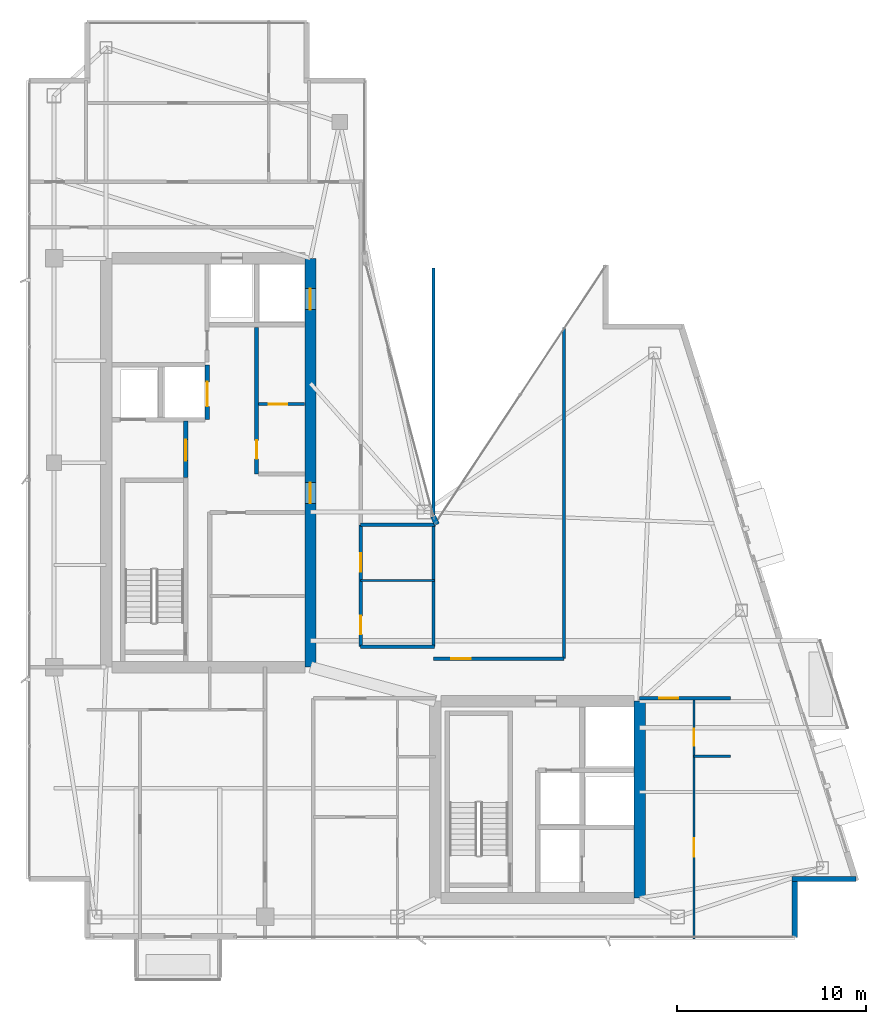
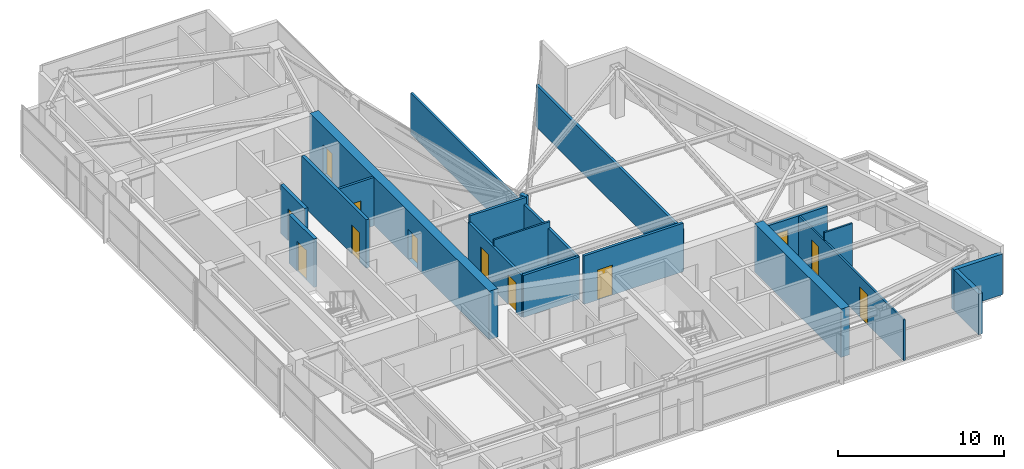
# One storey, part 24 of 28: 20 walls, 12 doors, 12 openings.
"""IFC4 building model written with IfcOpenShell, lengths in metres."""

from ifc_helpers import new_model, si_unit, direction, frame, frame_2d, origin, place, context, subcontext, project, spatial, rectangle, extrude, material, layer, layer_set, type_object, element, fill, save


model = new_model("IFC4")

# Units and contexts
model_context = context("Model", 3, precision=1e-05, world=origin(), true_north=direction((0.0, 1.0)))
body_context = subcontext(model_context, "Body", "Model", "MODEL_VIEW")
ifc_project = project(units=[si_unit("LENGTHUNIT", "METRE"), si_unit("AREAUNIT", "SQUARE_METRE"), si_unit("VOLUMEUNIT", "CUBIC_METRE"), si_unit("PLANEANGLEUNIT", "RADIAN"), si_unit("MASSUNIT", "GRAM", prefix="KILO")], contexts=[model_context])

# Site, building, storey
site_placement = place(None, origin())
site = spatial("IfcSite", under=ifc_project, at=site_placement, CompositionType="ELEMENT")
building_placement = place(site_placement, origin())
building = spatial("IfcBuilding", under=site, at=building_placement, Name="Calvorn Quay Hotel", CompositionType="ELEMENT")
storey_placement = place(building_placement, frame((0.0, 0.0, 271.10009765625)))
storey = spatial("IfcBuildingStorey", under=building, at=storey_placement, Name="L67", CompositionType="ELEMENT", Elevation=271.10009765625)

# Wall, openings, doors
ifc_material_1 = material(Name="Concrete C45", Category="concrete")
ifc_layer_1 = layer(ifc_material_1, 0.60009765625)
ifc_layer_set_1 = layer_set([ifc_layer_1], Name="WL-CORE-600")
wall_type_1 = type_object("IfcWallType", Name="WL-CORE-600", PredefinedType="SHEAR", material=ifc_layer_set_1)
wall_1_placement = place(storey_placement, frame((15.0, 16.800048828125, 0.0), z_axis=(0.0, 0.0, 1.0), x_axis=(0.0, 1.0, 0.0)))
wall_1 = element("IfcWall", 1, at=wall_1_placement, inside=storey, type_object=wall_type_1, Name="West Core Shear Wall E (L67)", PredefinedType="SHEAR", context=body_context, shape_type="SweptSolid", body=[
    extrude(rectangle(XDim=21.599853515625, YDim=0.60009765625, at=frame_2d((10.7998046875, 0.0))), origin(), (0.0, 0.0, 1.0), 3.559814453125),
])
opening_1_placement = place(wall_1_placement, frame((8.64990234375, 0.0, 0.0)))
opening_1 = element("IfcOpeningElement", 2, at=opening_1_placement, cuts=wall_1, Name="Opening D-L67-CW1", PredefinedType="OPENING", context=body_context, shape_type="SweptSolid", body=[
    extrude(rectangle(XDim=1.10009765625, YDim=2.199951171875, at=frame_2d((0.550048828125, 1.10009765625))), frame((0.0, 0.31005859375, 0.0), z_axis=(0.0, -1.0, 0.0), x_axis=(1.0, 0.0, 0.0)), (0.0, 0.0, 1.0), 0.6201171875),
])
opening_2_placement = place(wall_1_placement, frame((18.89990234375, 0.0, 0.0)))
opening_2 = element("IfcOpeningElement", 3, at=opening_2_placement, cuts=wall_1, Name="Opening LD-L67-H1", PredefinedType="OPENING", context=body_context, shape_type="SweptSolid", body=[
    extrude(rectangle(XDim=1.10009765625, YDim=2.199951171875, at=frame_2d((0.550048828125, 1.10009765625))), frame((0.0, 0.31005859375, 0.0), z_axis=(0.0, -1.0, 0.0), x_axis=(1.0, 0.0, 0.0)), (0.0, 0.0, 1.0), 0.6201171875),
])
ifc_material_2 = material(Name="Smoke-Sealed Steel Class A Fire Door", Category="steel")
door_type_1 = type_object("IfcDoorType", Name="DR-FFLOBBY-1100", OperationType="NOTDEFINED", PredefinedType="DOOR", material=ifc_material_2)
door_1_placement = place(opening_1_placement, origin())
door_1 = element("IfcDoor", 4, at=door_1_placement, inside=storey, type_object=door_type_1, Name="West Core Vestibule Fire Door (L67)", OperationType="SINGLE_SWING_RIGHT", OverallHeight=2.199951171875, OverallWidth=1.10009765625, PredefinedType="DOOR", context=body_context, shape_type="SweptSolid", body=[
    extrude(rectangle(XDim=1.10009765625, YDim=2.199951171875, at=frame_2d((0.550048828125, 1.10009765625))), frame((0.0, 0.02490234375, 0.0), z_axis=(0.0, -1.0, 0.0), x_axis=(1.0, 0.0, 0.0)), (0.0, 0.0, 1.0), 0.050048828125),
])
fill(opening_1, door_1)
ifc_material_3 = material(Name="Brushed Stainless Steel Sliding Lift Landing Door", Category="steel")
door_type_2 = type_object("IfcDoorType", Name="DR-LIFT-PASS-1100", OperationType="NOTDEFINED", PredefinedType="DOOR", material=ifc_material_3)
door_2_placement = place(opening_2_placement, origin())
door_2 = element("IfcDoor", 5, at=door_2_placement, inside=storey, type_object=door_type_2, Name="High-Rise Lift PL-H1 Landing Door (L67)", OperationType="DOUBLE_DOOR_SLIDING", OverallHeight=2.199951171875, OverallWidth=1.10009765625, PredefinedType="DOOR", context=body_context, shape_type="SweptSolid", body=[
    extrude(rectangle(XDim=1.10009765625, YDim=2.199951171875, at=frame_2d((0.550048828125, 1.10009765625))), frame((0.0, 0.02490234375, 0.0), z_axis=(0.0, -1.0, 0.0), x_axis=(1.0, 0.0, 0.0)), (0.0, 0.0, 1.0), 0.050048828125),
])
fill(opening_2, door_2)

# Walls
wall_2_placement = place(storey_placement, frame((32.39990234375, 4.60009765625, 0.0), z_axis=(0.0, 0.0, 1.0), x_axis=(0.0, 1.0, 0.0)))
element("IfcWall", 6, at=wall_2_placement, inside=storey, type_object=wall_type_1, Name="East Core Shear Wall E (L67)", PredefinedType="SHEAR", context=body_context, shape_type="SweptSolid", body=[
    extrude(rectangle(XDim=10.39990234375, YDim=0.60009765625, at=frame_2d((5.199951171875, 0.0))), origin(), (0.0, 0.0, 1.0), 3.559814453125),
])
ifc_material_4 = material(Name="Acoustic Fireboard Steel-Stud Partition", Category="steel")
ifc_layer_2 = layer(ifc_material_4, 0.179931640625)
ifc_layer_set_2 = layer_set([ifc_layer_2], Name="WL-CORR-FIRE-180")
wall_type_2 = type_object("IfcWallType", Name="WL-CORR-FIRE-180", PredefinedType="PARTITIONING", material=ifc_layer_set_2)
wall_3_placement = place(storey_placement, frame((17.64990234375, 17.8798828125, 0.0), z_axis=(0.0, 0.0, 1.0), x_axis=(1.0, 0.0, 0.0)))
element("IfcWall", 7, at=wall_3_placement, inside=storey, type_object=wall_type_2, Name="Partition Wall L67-WL-HK-S", PredefinedType="PARTITIONING", context=body_context, shape_type="SweptSolid", body=[
    extrude(rectangle(XDim=3.900146484375, YDim=0.179931640625, at=frame_2d((1.9501953125, 0.0))), origin(), (0.0, 0.0, 1.0), 3.08984375),
])
wall_4_placement = place(storey_placement, frame((17.64990234375, 24.320068359375, 0.0), z_axis=(0.0, 0.0, 1.0), x_axis=(1.0, 0.0, 0.0)))
element("IfcWall", 8, at=wall_4_placement, inside=storey, type_object=wall_type_2, Name="Partition Wall L67-WL-HK-N", PredefinedType="PARTITIONING", context=body_context, shape_type="SweptSolid", body=[
    extrude(rectangle(XDim=3.9501953125, YDim=0.179931640625, at=frame_2d((1.97509765625, 0.0))), origin(), (0.0, 0.0, 1.0), 3.559814453125),
])
wall_5_placement = place(storey_placement, frame((21.5, 17.8798828125, 0.0), z_axis=(0.0, 0.0, 1.0), x_axis=(0.0, 1.0, 0.0)))
element("IfcWall", 9, at=wall_5_placement, inside=storey, type_object=wall_type_2, Name="Partition Wall L67-WL-HK-E", PredefinedType="PARTITIONING", context=body_context, shape_type="SweptSolid", body=[
    extrude(rectangle(XDim=6.440185546875, YDim=0.179931640625, at=frame_2d((3.22021484375, 0.0))), origin(), (0.0, 0.0, 1.0), 3.08984375),
])

# Wall, openings, doors
wall_6_placement = place(storey_placement, frame((17.64990234375, 17.8798828125, 0.0), z_axis=(0.0, 0.0, 1.0), x_axis=(0.0, 1.0, 0.0)))
wall_6 = element("IfcWall", 10, at=wall_6_placement, inside=storey, type_object=wall_type_2, Name="Partition Wall L67-WL-HK-W", PredefinedType="PARTITIONING", context=body_context, shape_type="SweptSolid", body=[
    extrude(rectangle(XDim=6.440185546875, YDim=0.179931640625, at=frame_2d((3.22021484375, 0.0))), origin(), (0.0, 0.0, 1.0), 3.08984375),
])
opening_3_placement = place(wall_6_placement, frame((0.64990234375, 0.0, 0.0)))
opening_3 = element("IfcOpeningElement", 11, at=opening_3_placement, cuts=wall_6, Name="Opening D-L67-HK", PredefinedType="OPENING", context=body_context, shape_type="SweptSolid", body=[
    extrude(rectangle(XDim=0.97998046875, YDim=2.14990234375, at=frame_2d((0.489990234375, 1.074951171875))), frame((0.0, 0.099853515625, 0.0), z_axis=(0.0, -1.0, 0.0), x_axis=(1.0, 0.0, 0.0)), (0.0, 0.0, 1.0), 0.199951171875),
])
opening_4_placement = place(wall_6_placement, frame((3.969970703125, 0.0, 0.0)))
opening_4 = element("IfcOpeningElement", 12, at=opening_4_placement, cuts=wall_6, Name="Opening D-L67-NCP", PredefinedType="OPENING", context=body_context, shape_type="SweptSolid", body=[
    extrude(rectangle(XDim=0.9599609375, YDim=2.199951171875, at=frame_2d((0.47998046875, 1.10009765625))), frame((0.0, 0.099853515625, 0.0), z_axis=(0.0, -1.0, 0.0), x_axis=(1.0, 0.0, 0.0)), (0.0, 0.0, 1.0), 0.199951171875),
])
ifc_material_5 = material(Name="Painted Steel Housekeeping/Riser Fire Door", Category="steel")
door_type_3 = type_object("IfcDoorType", Name="DR-SERVICE-980", OperationType="NOTDEFINED", PredefinedType="DOOR", material=ifc_material_5)
door_3_placement = place(opening_3_placement, origin())
door_3 = element("IfcDoor", 13, at=door_3_placement, inside=storey, type_object=door_type_3, Name="Floor Housekeeping Door (L67)", OperationType="SINGLE_SWING_LEFT", OverallHeight=2.14990234375, OverallWidth=0.97998046875, PredefinedType="DOOR", context=body_context, shape_type="SweptSolid", body=[
    extrude(rectangle(XDim=0.97998046875, YDim=2.14990234375, at=frame_2d((0.489990234375, 1.074951171875))), frame((0.0, 0.02490234375, 0.0), z_axis=(0.0, -1.0, 0.0), x_axis=(1.0, 0.0, 0.0)), (0.0, 0.0, 1.0), 0.050048828125),
])
fill(opening_3, door_3)
ifc_material_6 = material(Name="Solid Timber Internal Suite Door", Category="wood")
door_type_4 = type_object("IfcDoorType", Name="DR-SUITE-INT-960", OperationType="NOTDEFINED", PredefinedType="DOOR", material=ifc_material_6)
door_4_placement = place(opening_4_placement, origin())
door_4 = element("IfcDoor", 14, at=door_4_placement, inside=storey, type_object=door_type_4, Name="Reading Alcove Door (L67)", OperationType="SINGLE_SWING_RIGHT", OverallHeight=2.199951171875, OverallWidth=0.9599609375, PredefinedType="DOOR", context=body_context, shape_type="SweptSolid", body=[
    extrude(rectangle(XDim=0.9599609375, YDim=2.199951171875, at=frame_2d((0.47998046875, 1.10009765625))), frame((0.0, 0.02490234375, 0.0), z_axis=(0.0, -1.0, 0.0), x_axis=(1.0, 0.0, 0.0)), (0.0, 0.0, 1.0), 0.050048828125),
])
fill(opening_4, door_4)

# Wall, opening, door
wall_7_placement = place(storey_placement, frame((32.39990234375, 15.14990234375, 0.0), z_axis=(0.0, 0.0, 1.0), x_axis=(1.0, 0.0, 0.0)))
wall_7 = element("IfcWall", 15, at=wall_7_placement, inside=storey, type_object=wall_type_2, Name="Partition Wall L67-WL-CORR-SE-S", PredefinedType="PARTITIONING", context=body_context, shape_type="SweptSolid", body=[
    extrude(rectangle(XDim=4.800048828125, YDim=0.179931640625, at=frame_2d((2.39990234375, 0.0))), origin(), (0.0, 0.0, 1.0), 2.989990234375),
])
opening_5_placement = place(wall_7_placement, frame((1.030029296875, 0.0, 0.0)))
opening_5 = element("IfcOpeningElement", 16, at=opening_5_placement, cuts=wall_7, Name="Opening D-L67-U04", PredefinedType="OPENING", context=body_context, shape_type="SweptSolid", body=[
    extrude(rectangle(XDim=1.02001953125, YDim=2.199951171875, at=frame_2d((0.510009765625, 1.10009765625))), frame((0.0, 0.099853515625, 0.0), z_axis=(0.0, -1.0, 0.0), x_axis=(1.0, 0.0, 0.0)), (0.0, 0.0, 1.0), 0.199951171875),
])
ifc_material_7 = material(Name="Solid-Core Walnut Veneer Hotel Fire Door")
door_type_5 = type_object("IfcDoorType", Name="DR-GUEST-ENTRY-1020", OperationType="NOTDEFINED", PredefinedType="DOOR", material=ifc_material_7)
door_5_placement = place(opening_5_placement, origin())
door_5 = element("IfcDoor", 17, at=door_5_placement, inside=storey, type_object=door_type_5, Name="South-East Unit Door U04 (L67)", OperationType="SINGLE_SWING_LEFT", OverallHeight=2.199951171875, OverallWidth=1.02001953125, PredefinedType="DOOR", context=body_context, shape_type="SweptSolid", body=[
    extrude(rectangle(XDim=1.02001953125, YDim=2.199951171875, at=frame_2d((0.510009765625, 1.10009765625))), frame((0.0, 0.02490234375, 0.0), z_axis=(0.0, -1.0, 0.0), x_axis=(1.0, 0.0, 0.0)), (0.0, 0.0, 1.0), 0.050048828125),
])
fill(opening_5, door_5)

wall_8_placement = place(storey_placement, frame((21.5, 17.25, 0.0), z_axis=(0.0, 0.0, 1.0), x_axis=(1.0, 0.0, 0.0)))
wall_8 = element("IfcWall", 18, at=wall_8_placement, inside=storey, type_object=wall_type_2, Name="Partition Wall L67-WL-CORR-NE-N", PredefinedType="PARTITIONING", context=body_context, shape_type="SweptSolid", body=[
    extrude(rectangle(XDim=6.89990234375, YDim=0.179931640625, at=frame_2d((3.449951171875, 0.0))), origin(), (0.0, 0.0, 1.0), 3.559814453125),
])
opening_6_placement = place(wall_8_placement, frame((0.949951171875, 0.0, 0.0)))
opening_6 = element("IfcOpeningElement", 19, at=opening_6_placement, cuts=wall_8, Name="Opening D-L67-NS1", PredefinedType="OPENING", context=body_context, shape_type="SweptSolid", body=[
    extrude(rectangle(XDim=1.02001953125, YDim=2.199951171875, at=frame_2d((0.510009765625, 1.10009765625))), frame((0.0, 0.099853515625, 0.0), z_axis=(0.0, -1.0, 0.0), x_axis=(1.0, 0.0, 0.0)), (0.0, 0.0, 1.0), 0.199951171875),
])
door_6_placement = place(opening_6_placement, origin())
door_6 = element("IfcDoor", 20, at=door_6_placement, inside=storey, type_object=door_type_5, Name="Conservatory Salon Door 1 (L67)", OperationType="SINGLE_SWING_RIGHT", OverallHeight=2.199951171875, OverallWidth=1.02001953125, PredefinedType="DOOR", context=body_context, shape_type="SweptSolid", body=[
    extrude(rectangle(XDim=1.02001953125, YDim=2.199951171875, at=frame_2d((0.510009765625, 1.10009765625))), frame((0.0, 0.02490234375, 0.0), z_axis=(0.0, -1.0, 0.0), x_axis=(1.0, 0.0, 0.0)), (0.0, 0.0, 1.0), 0.050048828125),
])
fill(opening_6, door_6)

# Walls
wall_9_placement = place(storey_placement, frame((28.39990234375, 17.25, 0.0), z_axis=(0.0, 0.0, 1.0), x_axis=(0.0, 1.0, 0.0)))
element("IfcWall", 21, at=wall_9_placement, inside=storey, type_object=wall_type_2, Name="Partition Wall L67-WL-NE-END-E", PredefinedType="PARTITIONING", context=body_context, shape_type="SweptSolid", body=[
    extrude(rectangle(XDim=17.510009765625, YDim=0.179931640625, at=frame_2d((8.7548828125, 0.0))), origin(), (0.0, 0.0, 1.0), 3.08984375),
])
ifc_material_8 = material(Name="Moisture-Resistant Tile-Backed Partition")
ifc_layer_3 = layer(ifc_material_8, 0.125)
ifc_layer_set_3 = layer_set([ifc_layer_3], Name="WL-ENSUITE-125")
wall_type_3 = type_object("IfcWallType", Name="WL-ENSUITE-125", PredefinedType="PARTITIONING", material=ifc_layer_set_3)
wall_10_placement = place(storey_placement, frame((17.64990234375, 21.3798828125, 0.0), z_axis=(0.0, 0.0, 1.0), x_axis=(1.0, 0.0, 0.0)))
element("IfcWall", 22, at=wall_10_placement, inside=storey, type_object=wall_type_3, Name="Partition Wall L67-WL-HK-M", PredefinedType="PARTITIONING", context=body_context, shape_type="SweptSolid", body=[
    extrude(rectangle(XDim=3.900146484375, YDim=0.125, at=frame_2d((1.9501953125, 0.0))), origin(), (0.0, 0.0, 1.0), 3.559814453125),
])
wall_11_placement = place(storey_placement, frame((35.27001953125, 12.10009765625, 0.0), z_axis=(0.0, 0.0, 1.0), x_axis=(1.0, 0.0, 0.0)))
element("IfcWall", 23, at=wall_11_placement, inside=storey, type_object=wall_type_3, Name="Partition Wall L67-WL-U04-BDV", PredefinedType="PARTITIONING", context=body_context, shape_type="SweptSolid", body=[
    extrude(rectangle(XDim=1.929931640625, YDim=0.125, at=frame_2d((0.96484375, 0.0))), origin(), (0.0, 0.0, 1.0), 3.559814453125),
])

# Wall, openings, doors
wall_12_placement = place(storey_placement, frame((35.27001953125, 2.43994140625, 0.0), z_axis=(0.0, 0.0, 1.0), x_axis=(0.0, 1.0, 0.0)))
wall_12 = element("IfcWall", 24, at=wall_12_placement, inside=storey, type_object=wall_type_3, Name="Partition Wall L67-WL-U04-BV", PredefinedType="PARTITIONING", context=body_context, shape_type="SweptSolid", body=[
    extrude(rectangle(XDim=12.7099609375, YDim=0.125, at=frame_2d((6.35498046875, 0.0))), origin(), (0.0, 0.0, 1.0), 2.989990234375),
])
opening_7_placement = place(wall_12_placement, frame((4.35009765625, 0.0, 0.0)))
opening_7 = element("IfcOpeningElement", 25, at=opening_7_placement, cuts=wall_12, Name="Opening D-L67-S04", PredefinedType="OPENING", context=body_context, shape_type="SweptSolid", body=[
    extrude(rectangle(XDim=0.9599609375, YDim=2.199951171875, at=frame_2d((0.47998046875, 1.10009765625))), frame((0.0, 0.072509765625, 0.0), z_axis=(0.0, -1.0, 0.0), x_axis=(1.0, 0.0, 0.0)), (0.0, 0.0, 1.0), 0.14501953125),
])
opening_8_placement = place(wall_12_placement, frame((10.2099609375, 0.0, 0.0)))
opening_8 = element("IfcOpeningElement", 26, at=opening_8_placement, cuts=wall_12, Name="Opening D-L67-E04", PredefinedType="OPENING", context=body_context, shape_type="SweptSolid", body=[
    extrude(rectangle(XDim=0.89990234375, YDim=2.14990234375, at=frame_2d((0.449951171875, 1.074951171875))), frame((0.0, 0.072509765625, 0.0), z_axis=(0.0, -1.0, 0.0), x_axis=(1.0, 0.0, 0.0)), (0.0, 0.0, 1.0), 0.14501953125),
])
ifc_material_9 = material(Name="Moisture-Sealed Timber En-Suite Door", Category="wood")
door_type_6 = type_object("IfcDoorType", Name="DR-ENSUITE-900", OperationType="NOTDEFINED", PredefinedType="DOOR", material=ifc_material_9)
door_7_placement = place(opening_8_placement, origin())
door_7 = element("IfcDoor", 27, at=door_7_placement, inside=storey, type_object=door_type_6, Name="En-Suite Door 04", OperationType="SINGLE_SWING_RIGHT", OverallHeight=2.14990234375, OverallWidth=0.89990234375, PredefinedType="DOOR", context=body_context, shape_type="SweptSolid", body=[
    extrude(rectangle(XDim=0.89990234375, YDim=2.14990234375, at=frame_2d((0.449951171875, 1.074951171875))), frame((0.0, 0.02490234375, 0.0), z_axis=(0.0, -1.0, 0.0), x_axis=(1.0, 0.0, 0.0)), (0.0, 0.0, 1.0), 0.050048828125),
])
fill(opening_8, door_7)
door_8_placement = place(opening_7_placement, origin())
door_8 = element("IfcDoor", 28, at=door_8_placement, inside=storey, type_object=door_type_4, Name="Executive Study Door 04", OperationType="SINGLE_SWING_LEFT", OverallHeight=2.199951171875, OverallWidth=0.9599609375, PredefinedType="DOOR", context=body_context, shape_type="SweptSolid", body=[
    extrude(rectangle(XDim=0.9599609375, YDim=2.199951171875, at=frame_2d((0.47998046875, 1.10009765625))), frame((0.0, 0.02490234375, 0.0), z_axis=(0.0, -1.0, 0.0), x_axis=(1.0, 0.0, 0.0)), (0.0, 0.0, 1.0), 0.050048828125),
])
fill(opening_7, door_8)

# Walls
ifc_material_10 = material(Name="Concrete C40", Category="concrete")
ifc_layer_4 = layer(ifc_material_10, 0.320068359375)
ifc_layer_set_4 = layer_set([ifc_layer_4], Name="WL-EXT-SPANDREL-320")
wall_type_4 = type_object("IfcWallType", Name="WL-EXT-SPANDREL-320", PredefinedType="SOLIDWALL", material=ifc_layer_set_4)
wall_13_placement = place(storey_placement, frame((21.679931640625, 24.340087890625, 0.0), z_axis=(0.0, 0.0, 1.0), x_axis=(-0.40758134973, 0.913168901875, 0.0)))
element("IfcWall", 29, at=wall_13_placement, inside=storey, type_object=wall_type_4, Name="Inner Court Corner Pier L67-ICJ1", PredefinedType="SOLIDWALL", context=body_context, shape_type="SweptSolid", body=[
    extrude(rectangle(XDim=0.470703125, YDim=0.280029296875, at=frame_2d((0.2353515625, 0.0))), origin(), (0.0, 0.0, 1.0), 3.559814453125),
])
wall_14_placement = place(storey_placement, frame((40.60009765625, 2.52001953125, 0.0), z_axis=(0.0, 0.0, 1.0), x_axis=(0.0, 1.0, 0.0)))
element("IfcWall", 30, at=wall_14_placement, inside=storey, type_object=wall_type_4, Name="Notched Corner Spandrel L67-SE1", PredefinedType="SOLIDWALL", context=body_context, shape_type="SweptSolid", body=[
    extrude(rectangle(XDim=2.93994140625, YDim=0.280029296875, at=frame_2d((1.469970703125, 0.0))), origin(), (0.0, 0.0, 1.0), 2.989990234375),
])
wall_15_placement = place(storey_placement, frame((40.4599609375, 5.60009765625, 0.0), z_axis=(0.0, 0.0, 1.0), x_axis=(1.0, 0.0, 0.0)))
element("IfcWall", 31, at=wall_15_placement, inside=storey, type_object=wall_type_4, Name="Notched Corner Spandrel L67-SE2", PredefinedType="SOLIDWALL", context=body_context, shape_type="SweptSolid", body=[
    extrude(rectangle(XDim=3.380126953125, YDim=0.280029296875, at=frame_2d((1.68994140625, 0.0))), origin(), (0.0, 0.0, 1.0), 2.989990234375),
])

# Wall, opening, door
ifc_material_11 = material(Name="Double-Stud Acoustic Gypsum Partition")
ifc_layer_5 = layer(ifc_material_11, 0.159912109375)
ifc_layer_set_5 = layer_set([ifc_layer_5], Name="WL-INTERSUITE-160")
wall_type_5 = type_object("IfcWallType", Name="WL-INTERSUITE-160", PredefinedType="PARTITIONING", material=ifc_layer_set_5)
wall_16_placement = place(storey_placement, frame((12.25, 30.699951171875, 0.0), z_axis=(0.0, 0.0, 1.0), x_axis=(1.0, 0.0, 0.0)))
wall_16 = element("IfcWall", 32, at=wall_16_placement, inside=storey, type_object=wall_type_5, Name="Partition Wall L67-WL-CWW-FM-SPLIT", PredefinedType="PARTITIONING", context=body_context, shape_type="SweptSolid", body=[
    extrude(rectangle(XDim=2.429931640625, YDim=0.159912109375, at=frame_2d((1.21484375, 0.0))), origin(), (0.0, 0.0, 1.0), 3.559814453125),
])
opening_9_placement = place(wall_16_placement, frame((0.550048828125, 0.0, 0.0)))
opening_9 = element("IfcOpeningElement", 33, at=opening_9_placement, cuts=wall_16, Name="Opening D-L67-FM2", PredefinedType="OPENING", context=body_context, shape_type="SweptSolid", body=[
    extrude(rectangle(XDim=0.97998046875, YDim=2.14990234375, at=frame_2d((0.489990234375, 1.074951171875))), frame((0.0, 0.08984375, 0.0), z_axis=(0.0, -1.0, 0.0), x_axis=(1.0, 0.0, 0.0)), (0.0, 0.0, 1.0), 0.179931640625),
])
door_9_placement = place(opening_9_placement, origin())
door_9 = element("IfcDoor", 34, at=door_9_placement, inside=storey, type_object=door_type_3, Name="Comms Room Door (L67)", OperationType="SINGLE_SWING_LEFT", OverallHeight=2.14990234375, OverallWidth=0.97998046875, PredefinedType="DOOR", context=body_context, shape_type="SweptSolid", body=[
    extrude(rectangle(XDim=0.97998046875, YDim=2.14990234375, at=frame_2d((0.489990234375, 1.074951171875))), frame((0.0, 0.02490234375, 0.0), z_axis=(0.0, -1.0, 0.0), x_axis=(1.0, 0.0, 0.0)), (0.0, 0.0, 1.0), 0.050048828125),
])
fill(opening_9, door_9)

# Wall
wall_17_placement = place(storey_placement, frame((21.5, 24.85009765625, 0.0), z_axis=(0.0, 0.0, 1.0), x_axis=(0.0, 1.0, 0.0)))
element("IfcWall", 35, at=wall_17_placement, inside=storey, type_object=wall_type_5, Name="Partition Wall L67-WL-NC-UPPER-E", PredefinedType="PARTITIONING", context=body_context, shape_type="SweptSolid", body=[
    extrude(rectangle(XDim=13.0498046875, YDim=0.159912109375, at=frame_2d((6.52490234375, 0.0))), origin(), (0.0, 0.0, 1.0), 2.989990234375),
])

# Wall, opening, door
ifc_material_12 = material(Name="Autoclaved Aerated Masonry Block", Category="masonry")
ifc_layer_6 = layer(ifc_material_12, 0.219970703125)
ifc_layer_set_6 = layer_set([ifc_layer_6], Name="WL-LOBBY-FIRE-220")
wall_type_6 = type_object("IfcWallType", Name="WL-LOBBY-FIRE-220", PredefinedType="SOLIDWALL", material=ifc_layer_set_6)
wall_18_placement = place(storey_placement, frame((12.14990234375, 27.0, 0.0), z_axis=(0.0, 0.0, 1.0), x_axis=(0.0, 1.0, 0.0)))
wall_18 = element("IfcWall", 36, at=wall_18_placement, inside=storey, type_object=wall_type_6, Name="Partition Wall L67-WL-CWW-FM-W", PredefinedType="SOLIDWALL", context=body_context, shape_type="SweptSolid", body=[
    extrude(rectangle(XDim=7.75, YDim=0.219970703125, at=frame_2d((3.875, 0.0))), origin(), (0.0, 0.0, 1.0), 3.559814453125),
])
opening_10_placement = place(wall_18_placement, frame((0.800048828125, 0.0, 0.0)))
opening_10 = element("IfcOpeningElement", 37, at=opening_10_placement, cuts=wall_18, Name="Opening D-L67-FM1", PredefinedType="OPENING", context=body_context, shape_type="SweptSolid", body=[
    extrude(rectangle(XDim=0.97998046875, YDim=2.14990234375, at=frame_2d((0.489990234375, 1.074951171875))), frame((0.0, 0.119873046875, 0.0), z_axis=(0.0, -1.0, 0.0), x_axis=(1.0, 0.0, 0.0)), (0.0, 0.0, 1.0), 0.239990234375),
])
door_10_placement = place(opening_10_placement, origin())
door_10 = element("IfcDoor", 38, at=door_10_placement, inside=storey, type_object=door_type_3, Name="Butler Pantry Door (L67)", OperationType="SINGLE_SWING_RIGHT", OverallHeight=2.14990234375, OverallWidth=0.97998046875, PredefinedType="DOOR", context=body_context, shape_type="SweptSolid", body=[
    extrude(rectangle(XDim=0.97998046875, YDim=2.14990234375, at=frame_2d((0.489990234375, 1.074951171875))), frame((0.0, 0.02490234375, 0.0), z_axis=(0.0, -1.0, 0.0), x_axis=(1.0, 0.0, 0.0)), (0.0, 0.0, 1.0), 0.050048828125),
])
fill(opening_10, door_10)

ifc_material_13 = material(Name="Concrete C40", Category="concrete")
ifc_layer_7 = layer(ifc_material_13, 0.239990234375)
ifc_layer_set_7 = layer_set([ifc_layer_7], Name="WL-SHAFT-240")
wall_type_7 = type_object("IfcWallType", Name="WL-SHAFT-240", PredefinedType="SOLIDWALL", material=ifc_layer_set_7)
wall_19_placement = place(storey_placement, frame((8.419921875, 26.820068359375, 0.0), z_axis=(0.0, 0.0, 1.0), x_axis=(0.0, 1.0, 0.0)))
wall_19 = element("IfcWall", 39, at=wall_19_placement, inside=storey, type_object=wall_type_7, Name="Partition Wall L67-WL-CWW-FFL-E", PredefinedType="SOLIDWALL", context=body_context, shape_type="SweptSolid", body=[
    extrude(rectangle(XDim=3.0, YDim=0.239990234375, at=frame_2d((1.5, 0.0))), origin(), (0.0, 0.0, 1.0), 3.559814453125),
])
opening_11_placement = place(wall_19_placement, frame((0.89990234375, 0.0, 0.0)))
opening_11 = element("IfcOpeningElement", 40, at=opening_11_placement, cuts=wall_19, Name="Opening D-L67-FLW", PredefinedType="OPENING", context=body_context, shape_type="SweptSolid", body=[
    extrude(rectangle(XDim=1.10009765625, YDim=2.199951171875, at=frame_2d((0.550048828125, 1.10009765625))), frame((0.0, 0.1298828125, 0.0), z_axis=(0.0, -1.0, 0.0), x_axis=(1.0, 0.0, 0.0)), (0.0, 0.0, 1.0), 0.260009765625),
])
door_11_placement = place(opening_11_placement, origin())
door_11 = element("IfcDoor", 41, at=door_11_placement, inside=storey, type_object=door_type_1, Name="West Firefighting Lobby Fire Door (L67)", OperationType="SINGLE_SWING_RIGHT", OverallHeight=2.199951171875, OverallWidth=1.10009765625, PredefinedType="DOOR", context=body_context, shape_type="SweptSolid", body=[
    extrude(rectangle(XDim=1.10009765625, YDim=2.199951171875, at=frame_2d((0.550048828125, 1.10009765625))), frame((0.0, 0.02490234375, 0.0), z_axis=(0.0, -1.0, 0.0), x_axis=(1.0, 0.0, 0.0)), (0.0, 0.0, 1.0), 0.050048828125),
])
fill(opening_11, door_11)

wall_20_placement = place(storey_placement, frame((9.5400390625, 29.8798828125, 0.0), z_axis=(0.0, 0.0, 1.0), x_axis=(0.0, 1.0, 0.0)))
wall_20 = element("IfcWall", 42, at=wall_20_placement, inside=storey, type_object=wall_type_7, Name="Partition Wall L67-WL-CWW-SLW-E", PredefinedType="SOLIDWALL", context=body_context, shape_type="SweptSolid", body=[
    extrude(rectangle(XDim=2.900146484375, YDim=0.239990234375, at=frame_2d((1.4501953125, 0.0))), origin(), (0.0, 0.0, 1.0), 3.559814453125),
])
opening_12_placement = place(wall_20_placement, frame((0.699951171875, 0.0, 0.0)))
opening_12 = element("IfcOpeningElement", 43, at=opening_12_placement, cuts=wall_20, Name="Opening LD-L67-SLW1", PredefinedType="OPENING", context=body_context, shape_type="SweptSolid", body=[
    extrude(rectangle(XDim=1.300048828125, YDim=2.35009765625, at=frame_2d((0.64990234375, 1.175048828125))), frame((0.0, 0.1298828125, 0.0), z_axis=(0.0, -1.0, 0.0), x_axis=(1.0, 0.0, 0.0)), (0.0, 0.0, 1.0), 0.260009765625),
])
ifc_material_14 = material(Name="Champagne-Bronze Sliding Express Lift Landing Door")
door_type_7 = type_object("IfcDoorType", Name="DR-LIFT-SHUTTLE-1300", OperationType="NOTDEFINED", PredefinedType="DOOR", material=ifc_material_14)
door_12_placement = place(opening_12_placement, origin())
door_12 = element("IfcDoor", 44, at=door_12_placement, inside=storey, type_object=door_type_7, Name="Service Lift SL-W1 Landing Door (L67)", OperationType="DOUBLE_DOOR_SLIDING", OverallHeight=2.35009765625, OverallWidth=1.300048828125, PredefinedType="DOOR", context=body_context, shape_type="SweptSolid", body=[
    extrude(rectangle(XDim=1.300048828125, YDim=2.35009765625, at=frame_2d((0.64990234375, 1.175048828125))), frame((0.0, 0.02490234375, 0.0), z_axis=(0.0, -1.0, 0.0), x_axis=(1.0, 0.0, 0.0)), (0.0, 0.0, 1.0), 0.050048828125),
])
fill(opening_12, door_12)

save(model, "model.ifc")
